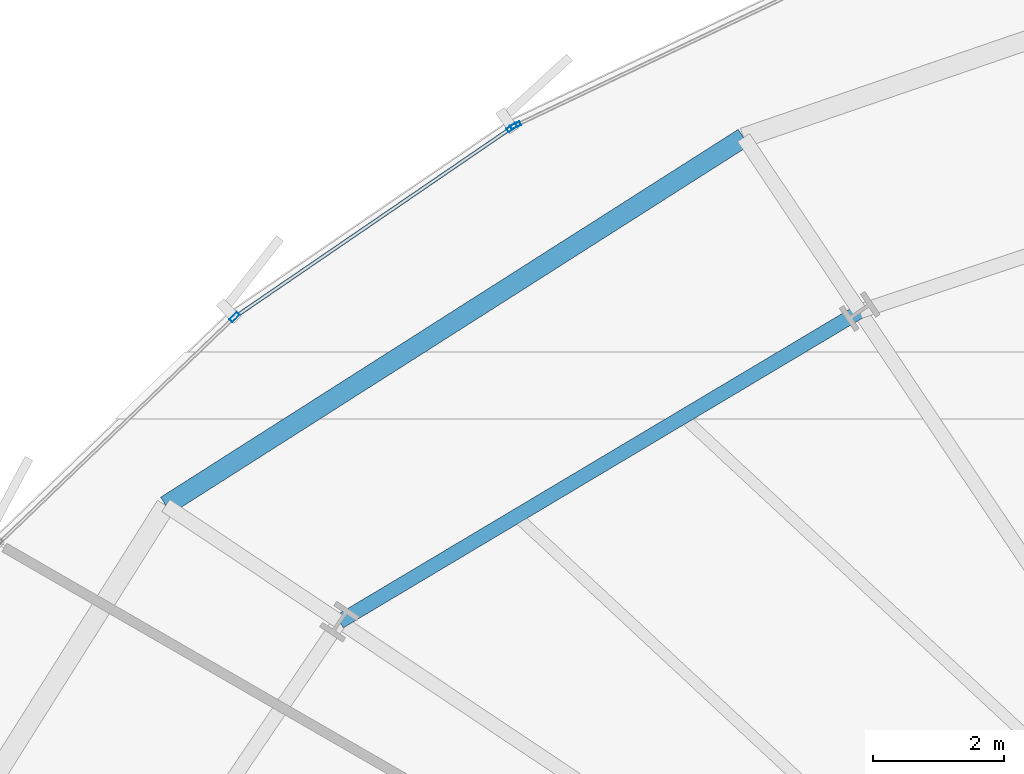
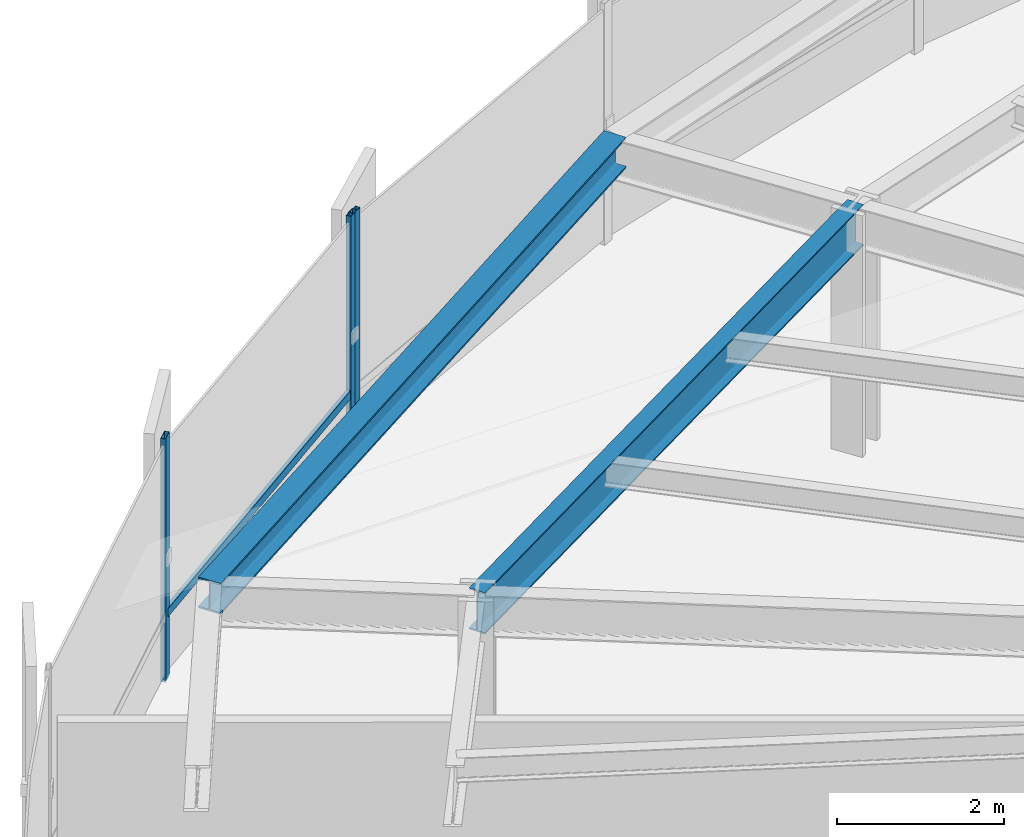
# One storey, part 19 of 37: 4 members, 2 beams, 2 elements without a shape of their own.
"""IFC4 building model written with IfcOpenShell, lengths in metres."""

from ifc_helpers import new_model, si_unit, direction, frame, origin, origin_2d, place, context, subcontext, project, spatial, hollow_rectangle, i_section, extrude, source, transform, mapped, material, layer, layer_set, material_profile, profile_set, type_object, element, aggregate, save


model = new_model("IFC4")

# Units and contexts
model_context = context("Model", 3, precision=1e-05, world=origin(), true_north=direction((0.0, 1.0)))
body_context = subcontext(model_context, "Body", "Model", "MODEL_VIEW")
ifc_project = project(units=[si_unit("LENGTHUNIT", "METRE"), si_unit("AREAUNIT", "SQUARE_METRE"), si_unit("VOLUMEUNIT", "CUBIC_METRE"), si_unit("PLANEANGLEUNIT", "RADIAN"), si_unit("MASSUNIT", "GRAM", prefix="KILO"), si_unit("THERMODYNAMICTEMPERATUREUNIT", "KELVIN")], contexts=[model_context])

# Site, building, storey
site_placement = place(None, origin())
site = spatial("IfcSite", under=ifc_project, at=site_placement, CompositionType="ELEMENT")
building_placement = place(site_placement, origin())
building = spatial("IfcBuilding", under=site, at=building_placement, Name="Kethvar Cultural Tower", CompositionType="ELEMENT")
storey_placement = place(building_placement, frame((0.0, 0.0, 48.60009765625)))
storey = spatial("IfcBuildingStorey", under=building, at=storey_placement, Name="L11", CompositionType="ELEMENT", Elevation=48.60009765625)

# Beams
ifc_material_1 = material(Name="Steel S355J2", Category="steel")
ifc_material_profile_1 = material_profile(ifc_material_1, i_section(OverallWidth=0.219970703125, OverallDepth=0.60009765625, WebThickness=0.011962890625, FlangeThickness=0.01904296875, FilletRadius=0.02392578125, at=origin_2d()), Name="Steel S355J2 — IPE600")
ifc_profile_set_1 = profile_set([ifc_material_profile_1], Name="Steel S355J2 — IPE600")
beam_type_1 = type_object("IfcBeamType", Name="BM-IPE600", PredefinedType="BEAM", material=ifc_profile_set_1)
shared_shape_1 = source(origin(), body_context, "Body", "SweptSolid", [
    extrude(i_section(OverallWidth=0.219970703125, OverallDepth=0.60009765625, WebThickness=0.011962890625, FlangeThickness=0.01904296875, FilletRadius=0.02392578125, at=origin_2d()), origin(), (0.0, 0.0, 1.0), 9.270263671875),
])
beam_1_placement = place(storey_placement, frame((34.64599609375, 45.98974609375, 3.247802734375), z_axis=(-0.858814626354, -0.51228647997, 0.0), x_axis=(0.51228647997, -0.858814626354, 0.0)))
element("IfcBeam", 1, at=beam_1_placement, inside=storey, type_object=beam_type_1, Name="L11 Column Ring Tie Beam CR-06", PredefinedType="BEAM", context=body_context, shape_type="MappedRepresentation", body=[
    mapped(shared_shape_1, transform((0.0, 0.0, 0.0), scale=1.0)),
])
ifc_material_profile_2 = material_profile(ifc_material_1, i_section(OverallWidth=0.300048828125, OverallDepth=0.449951171875, WebThickness=0.013916015625, FlangeThickness=0.02587890625, FilletRadius=0.027099609375, at=origin_2d()), Name="Steel S355J2 — HEB450")
ifc_profile_set_2 = profile_set([ifc_material_profile_2], Name="Steel S355J2 — HEB450")
beam_type_2 = type_object("IfcBeamType", Name="BM-SP450", PredefinedType="SPANDREL", material=ifc_profile_set_2)
shared_shape_2 = source(origin(), body_context, "Body", "SweptSolid", [
    extrude(i_section(OverallWidth=0.300048828125, OverallDepth=0.449951171875, WebThickness=0.013916015625, FlangeThickness=0.02587890625, FilletRadius=0.027099609375, at=origin_2d()), origin(), (0.0, 0.0, 1.0), 10.485107421875),
])
beam_2_placement = place(storey_placement, frame((32.8681640625, 48.650390625, 3.322998046875), z_axis=(-0.843502294633, -0.537125570932, 0.0), x_axis=(0.537125570932, -0.843502294633, 0.0)))
element("IfcBeam", 2, at=beam_2_placement, inside=storey, type_object=beam_type_2, Name="L11 Perimeter Spandrel Beam SP-06", PredefinedType="SPANDREL", context=body_context, shape_type="MappedRepresentation", body=[
    mapped(shared_shape_2, transform((0.0, 0.0, 0.0), scale=1.0)),
])

# Curtain wall, member
ifc_material_2 = material(Name="Aluminium 6063-T6", Category="aluminium")
ifc_layer = layer(ifc_material_2, 0.179931640625, Name="Aluminium 6063-T6", Category="aluminium")
ifc_layer_set = layer_set([ifc_layer], Name="Aluminium 6063-T6 (180 mm)")
curtain_wall_type = type_object("IfcCurtainWallType", Name="CW-SYS-02-Z1", PredefinedType="NOTDEFINED", material=ifc_layer_set)
curtain_wall_1_placement = place(storey_placement, origin())
curtain_wall_1 = element("IfcCurtainWall", 3, at=curtain_wall_1_placement, inside=storey, type_object=curtain_wall_type, Name="L11 Curtain Wall Run 02", PredefinedType="NOTDEFINED")
ifc_material_profile_3 = material_profile(ifc_material_2, hollow_rectangle(XDim=0.06494140625, YDim=0.159912109375, WallThickness=0.0048828125, at=origin_2d()), Name="Aluminium 6063-T6 — RHS160x65x5")
ifc_profile_set_3 = profile_set([ifc_material_profile_3], Name="Aluminium 6063-T6 — RHS160x65x5")
member_type_1 = type_object("IfcMemberType", Name="CW-SYS-02-Z1-MUL", PredefinedType="MULLION", material=ifc_profile_set_3)
shared_shape_3 = source(origin(), body_context, "Body", "SweptSolid", [
    extrude(hollow_rectangle(XDim=0.06494140625, YDim=0.159912109375, WallThickness=0.0048828125, at=origin_2d()), origin(), (0.0, 0.0, 1.0), 3.5498046875),
])
member_1_placement = place(storey_placement, frame((29.37744140625, 48.836181640625, 0.0), z_axis=(0.0, 0.0, 1.0), x_axis=(0.429266194262, -0.903178019254, 0.0)))
member_1 = element("IfcMember", 4, at=member_1_placement, type_object=member_type_1, Name="CW-L11-R02 Mullion 7", PredefinedType="MULLION", context=body_context, shape_type="MappedRepresentation", body=[
    mapped(shared_shape_3, transform((0.0, 0.0, 0.0), scale=1.0)),
])
aggregate(curtain_wall_1, [member_1])

# Curtain wall, members
curtain_wall_2_placement = place(storey_placement, origin())
curtain_wall_2 = element("IfcCurtainWall", 5, at=curtain_wall_2_placement, inside=storey, type_object=curtain_wall_type, Name="L11 Curtain Wall Run 03", PredefinedType="NOTDEFINED")
member_2_placement = place(storey_placement, frame((29.320556640625, 48.8037109375, 0.0), z_axis=(0.0, 0.0, 1.0), x_axis=(0.564347603646, -0.825537268849, 0.0)))
member_2 = element("IfcMember", 6, at=member_2_placement, type_object=member_type_1, Name="CW-L11-R03 Mullion 1", PredefinedType="MULLION", context=body_context, shape_type="MappedRepresentation", body=[
    mapped(shared_shape_3, transform((0.0, 0.0, 0.0), scale=1.0)),
])
member_3_placement = place(storey_placement, frame((25.07568359375, 45.90380859375, 0.0), z_axis=(0.0, 0.0, 1.0), x_axis=(0.692684653872, -0.721240577263, 0.0)))
member_3 = element("IfcMember", 7, at=member_3_placement, type_object=member_type_1, Name="CW-L11-R03 Mullion 2", PredefinedType="MULLION", context=body_context, shape_type="MappedRepresentation", body=[
    mapped(shared_shape_3, transform((0.0, 0.0, 0.0), scale=1.0)),
])
ifc_material_profile_4 = material_profile(ifc_material_2, hollow_rectangle(XDim=0.054931640625, YDim=0.1201171875, WallThickness=0.00390625, at=origin_2d()), Name="Aluminium 6063-T6 — RHS120x55x4")
ifc_profile_set_4 = profile_set([ifc_material_profile_4], Name="Aluminium 6063-T6 — RHS120x55x4")
member_type_2 = type_object("IfcMemberType", Name="CW-SYS-02-Z1-TRN", PredefinedType="USERDEFINED", material=ifc_profile_set_4)
shared_shape_4 = source(origin(), body_context, "Body", "SweptSolid", [
    extrude(hollow_rectangle(XDim=0.054931640625, YDim=0.1201171875, WallThickness=0.00390625, at=origin_2d()), origin(), (0.0, 0.0, 1.0), 5.109375),
])
member_4_placement = place(storey_placement, frame((29.31689453125, 48.801025390625, 0.949951171875), z_axis=(-0.825532222604, -0.564354985309, 0.0), x_axis=(0.564354985309, -0.825532222604, 0.0)))
member_4 = element("IfcMember", 8, at=member_4_placement, type_object=member_type_2, Name="CW-L11-R03 Transom 1", ObjectType="TRANSOM", PredefinedType="USERDEFINED", context=body_context, shape_type="MappedRepresentation", body=[
    mapped(shared_shape_4, transform((0.0, 0.0, 0.0), scale=1.0)),
])
aggregate(curtain_wall_2, [member_2, member_3, member_4])

save(model, "model.ifc")
